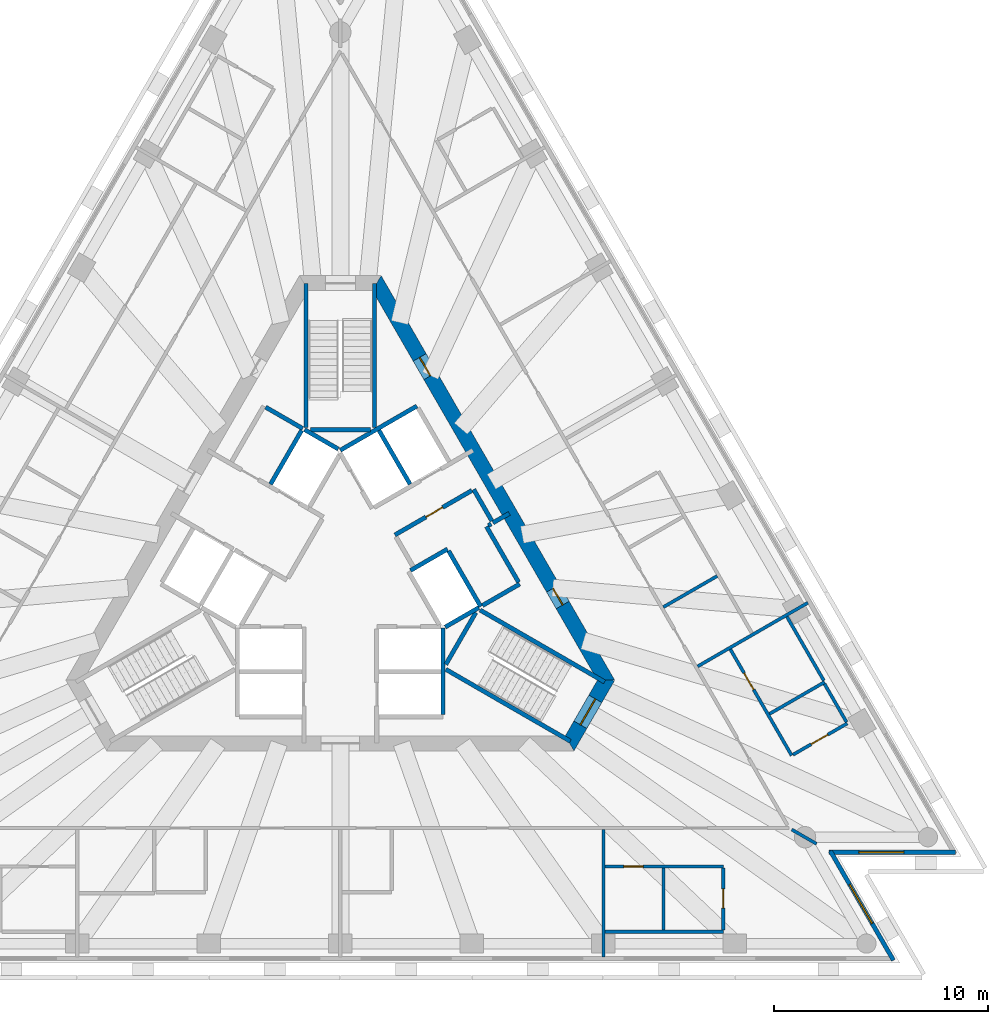
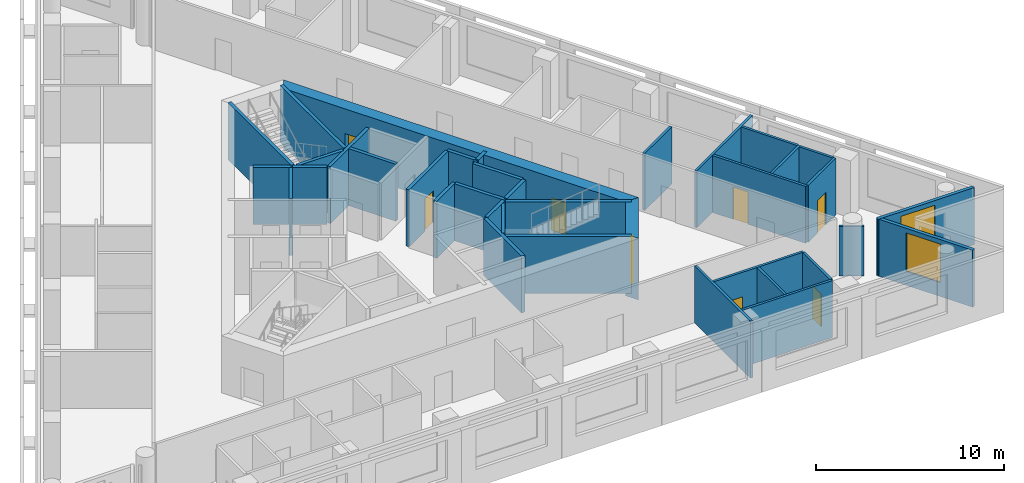
# One storey, part 5 of 9: 38 walls, 8 doors, 2 windows, 10 openings.
"""IFC4 building model written with IfcOpenShell, lengths in metres."""

import ifcopenshell
import ifcopenshell.guid

model = None  # the IFC model being written
_history = None  # IfcOwnerHistory: only IFC2X3 demands one
_inside = {}  # id of a spatial element -> (the spatial element, [elements in it])
_under = {}  # id of a project, library or spatial element -> (it, [spatial elements below it])
_declared = {}  # id of a project -> (the project, [libraries it declares])
_typed = {}  # id of a type object -> (the type object, [elements of that type])
_made_of = {}  # id of a material, layer set ... -> (it, [elements and type objects made of it])


def new_model(schema):
    """Start an empty IFC model of exactly this schema.

    Asked for "IFC4X3", IfcOpenShell would pick the latest addendum, in which some entities
    have other attributes; the version numbers below select the first issue.
    IFC2X3 requires an IfcOwnerHistory on every rooted entity: one is made here for all.
    """
    global model, _history
    if schema == "IFC4X3":
        model = ifcopenshell.file(schema_version=(4, 3, 0, 0))
    else:
        model = ifcopenshell.file(schema=schema)
    _inside.clear()
    _under.clear()
    _declared.clear()
    _typed.clear()
    _made_of.clear()
    _history = None
    if model.schema == "IFC2X3":
        org = make("IfcOrganization", Name="unknown")
        user = make(
            "IfcPersonAndOrganization",
            ThePerson=make("IfcPerson", FamilyName="unknown"),
            TheOrganization=org,
        )
        app = make(
            "IfcApplication",
            ApplicationDeveloper=org,
            Version="unknown",
            ApplicationFullName="unknown",
            ApplicationIdentifier="unknown",
        )
        _history = make(
            "IfcOwnerHistory",
            OwningUser=user,
            OwningApplication=app,
            ChangeAction="ADDED",
            CreationDate=0,
        )
    return model


def make(cls, **values):
    """One entity of the class cls with the attributes given. An attribute that is None is left unset."""
    return model.create_entity(
        cls, **{name: value for name, value in values.items() if value is not None}
    )


def rooted(cls, **values):
    """An entity with a GlobalId (a new one), such as an element, a storey or a relation."""
    return make(cls, GlobalId=ifcopenshell.guid.new(), OwnerHistory=_history, **values)


def si_unit(unit_type, name, prefix=None):
    """IfcSIUnit, for example si_unit("LENGTHUNIT", "METRE", prefix="MILLI")."""
    return make("IfcSIUnit", UnitType=unit_type, Prefix=prefix, Name=name)


def assignment(units):
    """IfcUnitAssignment: the units of a project."""
    return None if units is None else make("IfcUnitAssignment", Units=units)


def point(xyz):
    """IfcCartesianPoint."""
    return None if xyz is None else make("IfcCartesianPoint", Coordinates=xyz)


def direction(xyz):
    """IfcDirection."""
    return None if xyz is None else make("IfcDirection", DirectionRatios=xyz)


def frame(location, z_axis=None, x_axis=None):
    """IfcAxis2Placement3D, a coordinate frame: its origin and axes. An axis left out is left unset."""
    return make(
        "IfcAxis2Placement3D",
        Location=point(location),
        Axis=direction(z_axis),
        RefDirection=direction(x_axis),
    )


def frame_2d(location, x_axis=None):
    """IfcAxis2Placement2D, a coordinate frame in the plane: its origin and x axis."""
    return make(
        "IfcAxis2Placement2D", Location=point(location), RefDirection=direction(x_axis)
    )


def origin():
    """The frame at (0, 0, 0) with its axes left unset."""
    return frame((0.0, 0.0, 0.0))


def place(relative_to, where):
    """IfcLocalPlacement: puts the frame where relative to a parent placement (None: the world)."""
    return make(
        "IfcLocalPlacement", PlacementRelTo=relative_to, RelativePlacement=where
    )


def context(
    kind, dimensions, precision=None, world=None, true_north=None, identifier=None
):
    """IfcGeometricRepresentationContext, for example the 3D "Model" context."""
    return make(
        "IfcGeometricRepresentationContext",
        ContextIdentifier=identifier,
        ContextType=kind,
        CoordinateSpaceDimension=dimensions,
        Precision=precision,
        WorldCoordinateSystem=world,
        TrueNorth=true_north,
    )


def subcontext(parent, identifier, kind, view, scale=None):
    """IfcGeometricRepresentationSubContext, for example "Body" below "Model"."""
    return make(
        "IfcGeometricRepresentationSubContext",
        ContextIdentifier=identifier,
        ContextType=kind,
        ParentContext=parent,
        TargetScale=scale,
        TargetView=view,
    )


def project(units=None, contexts=None):
    """IfcProject with its units and contexts."""
    return rooted(
        "IfcProject",
        Name="project",
        RepresentationContexts=contexts,
        UnitsInContext=assignment(units),
    )


def spatial(cls, under=None, at=None, **own):
    """A site, building, storey or space (cls), placed at a placement, below another one or the project."""
    s = rooted(cls, ObjectPlacement=at, **own)
    if under is not None:
        _under.setdefault(under.id(), (under, []))[1].append(s)
    return s


def polyline(points):
    """IfcPolyline through the points."""
    return make("IfcPolyline", Points=[point(p) for p in points])


def profile(cls, at=None, kind="AREA", **sizes):
    """A parametric profile (cls). Its sizes go by their IFC names, for example OverallWidth=200.0."""
    return make(cls, ProfileType=kind, Position=at, **sizes)


def rectangle(**sizes):
    """IfcRectangleProfileDef."""
    return profile("IfcRectangleProfileDef", **sizes)


def outline(outer, holes=None, kind="AREA"):
    """IfcArbitraryClosedProfileDef: a profile drawn as a closed curve; with holes, ...WithVoids."""
    if holes is None:
        return make("IfcArbitraryClosedProfileDef", ProfileType=kind, OuterCurve=outer)
    return make(
        "IfcArbitraryProfileDefWithVoids",
        ProfileType=kind,
        OuterCurve=outer,
        InnerCurves=holes,
    )


def extrude(swept, where, along, depth):
    """IfcExtrudedAreaSolid: the profile swept, set in the frame where, extruded along a direction by depth."""
    return make(
        "IfcExtrudedAreaSolid",
        SweptArea=swept,
        Position=where,
        ExtrudedDirection=direction(along),
        Depth=depth,
    )


def shape(context_of_items, identifier, shape_type, items):
    """IfcShapeRepresentation: the items that make up one representation, for example the "Body"."""
    return make(
        "IfcShapeRepresentation",
        ContextOfItems=context_of_items,
        RepresentationIdentifier=identifier,
        RepresentationType=shape_type,
        Items=items,
    )


def material(Name=None, Category=None):
    """IfcMaterial."""
    return make("IfcMaterial", Name=Name, Category=Category)


def layer(
    of_material, thickness, ventilated=None, Name=None, Category=None, Priority=None
):
    """IfcMaterialLayer: one layer of a wall or slab, of a material (None: an air gap)."""
    return make(
        "IfcMaterialLayer",
        Material=of_material,
        LayerThickness=thickness,
        IsVentilated=ventilated,
        Name=Name,
        Category=Category,
        Priority=Priority,
    )


def layer_set(layers, Name=None):
    """IfcMaterialLayerSet."""
    return make("IfcMaterialLayerSet", MaterialLayers=layers, LayerSetName=Name)


def layer_usage(for_layer_set, set_direction, sense, offset, extent=None):
    """IfcMaterialLayerSetUsage: how a layer set lies in its element."""
    return make(
        "IfcMaterialLayerSetUsage",
        ForLayerSet=for_layer_set,
        LayerSetDirection=set_direction,
        DirectionSense=sense,
        OffsetFromReferenceLine=offset,
        ReferenceExtent=extent,
    )


def made_of(thing, what):
    """Note that an element or type object is made of a material, layer set ...; save() writes the relation."""
    if what is not None:
        _made_of.setdefault(what.id(), (what, []))[1].append(thing)
    return thing


def type_object(cls, material=None, **own):
    """A type object (cls), such as IfcWallType, which elements share."""
    return made_of(rooted(cls, **own), material)


def element(
    cls,
    number,
    at=None,
    inside=None,
    cuts=None,
    type_object=None,
    material=None,
    context=None,
    identifier="Body",
    shape_type=None,
    held_by="IfcProductDefinitionShape",
    body=None,
    shapes=None,
    **own,
):
    """One element of the class cls, such as IfcWall. Its Tag is "e" and its number.

    at: its placement. inside: the storey or other place that contains it. cuts: it is an
    opening in that element (IfcRelVoidsElement). A single representation is given by context,
    identifier, shape_type and body (its items); several are given by shapes. held_by: the class
    of the entity that holds the representations. save() writes the other relations.
    """
    e = rooted(cls, Tag="e%d" % number, ObjectPlacement=at, **own)
    if body is not None:
        shapes = [shape(context, identifier, shape_type, body)]
    if shapes is not None:
        e.Representation = make(held_by, Representations=shapes)
    if inside is not None:
        _inside.setdefault(inside.id(), (inside, []))[1].append(e)
    if cuts is not None:
        rooted(
            "IfcRelVoidsElement", RelatingBuildingElement=cuts, RelatedOpeningElement=e
        )
    if type_object is not None:
        _typed.setdefault(type_object.id(), (type_object, []))[1].append(e)
    return made_of(e, material)


def fill(opening, filler):
    """IfcRelFillsElement: the door or window that sits in an opening."""
    return rooted(
        "IfcRelFillsElement",
        RelatingOpeningElement=opening,
        RelatedBuildingElement=filler,
    )


def aggregate(whole, parts):
    """IfcRelAggregates: a whole, such as a stair, and the parts it consists of."""
    return rooted("IfcRelAggregates", RelatingObject=whole, RelatedObjects=parts)


def save(model, path):
    """Write the relations noted so far, then the file.

    IfcRelAggregates (storeys below a building ...), IfcRelContainedInSpatialStructure (elements
    in a storey), IfcRelDefinesByType, IfcRelAssociatesMaterial and IfcRelDeclares: one each for
    every whole, place, type object, material and project.
    """
    for whole, parts in _under.values():
        aggregate(whole, parts)
    for where, things in _inside.values():
        rooted(
            "IfcRelContainedInSpatialStructure",
            RelatedElements=things,
            RelatingStructure=where,
        )
    for kind, things in _typed.values():
        rooted("IfcRelDefinesByType", RelatedObjects=things, RelatingType=kind)
    for what, things in _made_of.values():
        rooted("IfcRelAssociatesMaterial", RelatedObjects=things, RelatingMaterial=what)
    for by, libraries in _declared.values():
        rooted("IfcRelDeclares", RelatingContext=by, RelatedDefinitions=libraries)
    model.write(path)


model = new_model("IFC4")

# Units and contexts
model_context = context("Model", 3, precision=1e-05, world=origin(), true_north=direction((0.0, 1.0)))
body_context = subcontext(model_context, "Body", "Model", "MODEL_VIEW")
ifc_project = project(units=[si_unit("LENGTHUNIT", "METRE"), si_unit("AREAUNIT", "SQUARE_METRE"), si_unit("VOLUMEUNIT", "CUBIC_METRE"), si_unit("PLANEANGLEUNIT", "RADIAN"), si_unit("MASSUNIT", "GRAM", prefix="KILO")], contexts=[model_context])

# Site, building, storey
site_placement = place(None, origin())
site = spatial("IfcSite", under=ifc_project, at=site_placement, CompositionType="ELEMENT")
building_placement = place(site_placement, origin())
building = spatial("IfcBuilding", under=site, at=building_placement, Name="Triada Interchange Tower", CompositionType="ELEMENT")
storey_placement = place(building_placement, frame((0.0, 0.0, 207.300048828125)))
storey = spatial("IfcBuildingStorey", under=building, at=storey_placement, Name="L48", CompositionType="ELEMENT", Elevation=207.300048828125)

# Walls
ifc_material_1 = material(Name="Concrete C30/37", Category="concrete")
ifc_layer_1 = layer(ifc_material_1, 0.199951171875)
ifc_layer_set_1 = layer_set([ifc_layer_1], Name="CORE WALL 200 EI 120")
wall_type_1 = type_object("IfcWallType", Name="CORE WALL 200 EI 120", PredefinedType="SOLIDWALL", material=ifc_layer_set_1)
wall_1_placement = place(storey_placement, frame((-0.001953125, 5.541015625, 0.0), z_axis=(0.0, 0.0, 1.0), x_axis=(0.86600155993, 0.500041296494, 0.0)))
element("IfcWall", 1, at=wall_1_placement, inside=storey, type_object=wall_type_1, Name="Wall L47 63", PredefinedType="SOLIDWALL", context=body_context, shape_type="SweptSolid", body=[
    extrude(rectangle(XDim=4.131591796875, YDim=0.199951171875, at=frame_2d((2.06591796875, 0.0))), origin(), (0.0, 0.0, 1.0), 3.699951171875),
])
wall_2_placement = place(storey_placement, frame((4.800048828125, -6.800048828125, 0.0), z_axis=(0.0, 0.0, 1.0), x_axis=(0.0, 1.0, 0.0)))
element("IfcWall", 2, at=wall_2_placement, inside=storey, type_object=wall_type_1, Name="Wall L47 68", PredefinedType="SOLIDWALL", context=body_context, shape_type="SweptSolid", body=[
    extrude(rectangle(XDim=4.029052734375, YDim=0.199951171875, at=frame_2d((2.0146484375, 0.0))), origin(), (0.0, 0.0, 1.0), 3.699951171875),
])
wall_3_placement = place(storey_placement, frame((3.278076171875, -0.071044921875, 0.0), z_axis=(0.0, 0.0, 1.0), x_axis=(0.865855657918, 0.500293893279, 0.0)))
element("IfcWall", 3, at=wall_3_placement, inside=storey, type_object=wall_type_1, Name="Wall L47 69", PredefinedType="SOLIDWALL", context=body_context, shape_type="SweptSolid", body=[
    extrude(rectangle(XDim=1.996826171875, YDim=0.199951171875, at=frame_2d((0.99853515625, 0.0))), origin(), (0.0, 0.0, 1.0), 3.699951171875),
])
wall_4_placement = place(storey_placement, frame((7.12890625, 2.153076171875, 0.0), z_axis=(0.0, 0.0, 1.0), x_axis=(0.866083962871, 0.499898558967, 0.0)))
element("IfcWall", 4, at=wall_4_placement, inside=storey, type_object=wall_type_1, Name="Wall L47 70", PredefinedType="SOLIDWALL", context=body_context, shape_type="SweptSolid", body=[
    extrude(rectangle(XDim=0.880126953125, YDim=0.199951171875, at=frame_2d((0.43994140625, 0.0))), origin(), (0.0, 0.0, 1.0), 3.699951171875),
])
wall_5_placement = place(storey_placement, frame((1.806884765625, 6.469970703125, 0.0), z_axis=(0.0, 0.0, 1.0), x_axis=(0.50012328804, -0.865954211699, 0.0)))
element("IfcWall", 5, at=wall_5_placement, inside=storey, type_object=wall_type_1, Name="Wall L47 72", PredefinedType="SOLIDWALL", context=body_context, shape_type="SweptSolid", body=[
    extrude(rectangle(XDim=2.899658203125, YDim=0.199951171875, at=frame_2d((1.44970703125, 0.0))), origin(), (0.0, 0.0, 1.0), 3.699951171875),
])
wall_6_placement = place(storey_placement, frame((5.056884765625, 0.841064453125, 0.0), z_axis=(0.0, 0.0, 1.0), x_axis=(0.499990139034, -0.866031096941, 0.0)))
element("IfcWall", 6, at=wall_6_placement, inside=storey, type_object=wall_type_1, Name="Wall L47 73", PredefinedType="SOLIDWALL", context=body_context, shape_type="SweptSolid", body=[
    extrude(rectangle(XDim=3.0, YDim=0.199951171875, at=frame_2d((1.5, 0.0))), origin(), (0.0, 0.0, 1.0), 3.699951171875),
])
wall_7_placement = place(storey_placement, frame((4.89990234375, -2.714111328125, 0.0), z_axis=(0.0, 0.0, 1.0), x_axis=(0.865846928409, 0.500309001083, 0.0)))
element("IfcWall", 7, at=wall_7_placement, inside=storey, type_object=wall_type_1, Name="Wall L47 74", PredefinedType="SOLIDWALL", context=body_context, shape_type="SweptSolid", body=[
    extrude(rectangle(XDim=1.813232421875, YDim=0.199951171875, at=frame_2d((0.90673828125, 0.0))), origin(), (0.0, 0.0, 1.0), 3.699951171875),
])
wall_8_placement = place(storey_placement, frame((6.22900390625, 3.7119140625, 0.0), z_axis=(0.0, 0.0, 1.0), x_axis=(0.499875724984, -0.86609714211, 0.0)))
element("IfcWall", 8, at=wall_8_placement, inside=storey, type_object=wall_type_1, Name="Wall L47 75", PredefinedType="SOLIDWALL", context=body_context, shape_type="SweptSolid", body=[
    extrude(rectangle(XDim=1.70068359375, YDim=0.199951171875, at=frame_2d((0.850341796875, 0.0))), origin(), (0.0, 0.0, 1.0), 3.699951171875),
])

# Wall, opening, door
wall_9_placement = place(storey_placement, frame((2.548095703125, 1.5869140625, 0.0), z_axis=(0.0, 0.0, 1.0), x_axis=(0.866004344652, 0.500036473714, 0.0)))
wall_9 = element("IfcWall", 9, at=wall_9_placement, inside=storey, type_object=wall_type_1, Name="Wall L47 76", PredefinedType="SOLIDWALL", context=body_context, shape_type="SweptSolid", body=[
    extrude(rectangle(XDim=4.150146484375, YDim=0.199951171875, at=frame_2d((2.0751953125, 0.0))), origin(), (0.0, 0.0, 1.0), 3.699951171875),
])
opening_1_placement = place(wall_9_placement, frame((1.675048828125, 0.0, 0.0)))
opening_1 = element("IfcOpeningElement", 10, at=opening_1_placement, cuts=wall_9, Name="Opening D47-51", PredefinedType="OPENING", context=body_context, shape_type="SweptSolid", body=[
    extrude(rectangle(XDim=0.89990234375, YDim=2.10009765625, at=frame_2d((0.449951171875, 1.050048828125))), frame((0.0, 0.10986328125, 0.0), z_axis=(0.0, -1.0, 0.0), x_axis=(1.0, 0.0, 0.0)), (0.0, 0.0, 1.0), 0.219970703125),
])
ifc_material_2 = material(Name="Steel S235 door leaf", Category="steel")
door_type_1 = type_object("IfcDoorType", Name="SERVICE DOOR 900 EI2 45-C5S200", OperationType="NOTDEFINED", PredefinedType="DOOR", material=ifc_material_2)
door_1_placement = place(opening_1_placement, origin())
door_1 = element("IfcDoor", 11, at=door_1_placement, inside=storey, type_object=door_type_1, Name="Door D47-51 L48", OperationType="SINGLE_SWING_RIGHT", OverallHeight=2.10009765625, OverallWidth=0.89990234375, PredefinedType="DOOR", context=body_context, shape_type="SweptSolid", body=[
    extrude(rectangle(XDim=0.89990234375, YDim=2.10009765625, at=frame_2d((0.449951171875, 1.050048828125))), frame((0.0, 0.02490234375, 0.0), z_axis=(0.0, -1.0, 0.0), x_axis=(1.0, 0.0, 0.0)), (0.0, 0.0, 1.0), 0.050048828125),
])
fill(opening_1, door_1)

# Walls
ifc_layer_2 = layer(ifc_material_1, 0.199951171875)
ifc_layer_set_2 = layer_set([ifc_layer_2], Name="CORE WALL 200 EI 180")
wall_type_2 = type_object("IfcWallType", Name="CORE WALL 200 EI 180", PredefinedType="SOLIDWALL", material=ifc_layer_set_2)
wall_10_placement = place(storey_placement, frame((-3.489013671875, 7.556884765625, 0.0), z_axis=(0.0, 0.0, 1.0), x_axis=(0.866010750942, -0.50002537861, 0.0)))
element("IfcWall", 12, at=wall_10_placement, inside=storey, type_object=wall_type_2, Name="Wall L47 83", PredefinedType="SOLIDWALL", context=body_context, shape_type="SweptSolid", body=[
    extrude(rectangle(XDim=2.0, YDim=0.199951171875, at=frame_2d((1.0, 0.0))), origin(), (0.0, 0.0, 1.0), 3.699951171875),
])
wall_11_placement = place(storey_placement, frame((-3.257080078125, 3.958984375, 0.0), z_axis=(0.0, 0.0, 1.0), x_axis=(0.50012328804, 0.865954211699, 0.0)))
element("IfcWall", 13, at=wall_11_placement, inside=storey, type_object=wall_type_2, Name="Shaft wall FF2 L47 90", PredefinedType="SOLIDWALL", context=body_context, shape_type="SweptSolid", body=[
    extrude(rectangle(XDim=2.899658203125, YDim=0.199951171875, at=frame_2d((1.44970703125, 0.0))), origin(), (0.0, 0.0, 1.0), 3.699951171875),
])
wall_12_placement = place(storey_placement, frame((-1.669921875, 6.507080078125, 0.0), z_axis=(0.0, 0.0, 1.0), x_axis=(0.865941441609, -0.500145398563, 0.0)))
element("IfcWall", 14, at=wall_12_placement, inside=storey, type_object=wall_type_2, Name="Shaft wall FF2 L47 91", PredefinedType="SOLIDWALL", context=body_context, shape_type="SweptSolid", body=[
    extrude(rectangle(XDim=1.8154296875, YDim=0.199951171875, at=frame_2d((0.90771484375, 0.0))), origin(), (0.0, 0.0, 1.0), 3.699951171875),
])
ifc_layer_3 = layer(ifc_material_1, 0.199951171875)
ifc_layer_set_3 = layer_set([ifc_layer_3], Name="CORE WALL 200 EI 90")
wall_type_3 = type_object("IfcWallType", Name="CORE WALL 200 EI 90", PredefinedType="SOLIDWALL", material=ifc_layer_set_3)
wall_13_placement = place(storey_placement, frame((6.64208984375, -1.7080078125, 0.0), z_axis=(0.0, 0.0, 1.0), x_axis=(0.866043441391, 0.499968756647, 0.0)))
element("IfcWall", 15, at=wall_13_placement, inside=storey, type_object=wall_type_3, Name="Wall L47 93", PredefinedType="SOLIDWALL", context=body_context, shape_type="SweptSolid", body=[
    extrude(rectangle(XDim=2.002197265625, YDim=0.199951171875, at=frame_2d((1.0009765625, 0.0))), origin(), (0.0, 0.0, 1.0), 3.699951171875),
])
wall_14_placement = place(storey_placement, frame((6.825927734375, 1.97802734375, 0.0), z_axis=(0.0, 0.0, 1.0), x_axis=(0.499990139034, -0.866031096941, 0.0)))
element("IfcWall", 16, at=wall_14_placement, inside=storey, type_object=wall_type_3, Name="Wall L47 94", PredefinedType="SOLIDWALL", context=body_context, shape_type="SweptSolid", body=[
    extrude(rectangle(XDim=3.0, YDim=0.199951171875, at=frame_2d((1.5, 0.0))), origin(), (0.0, 0.0, 1.0), 3.699951171875),
])
wall_15_placement = place(storey_placement, frame((6.912109375, 2.028076171875, 0.0), z_axis=(0.0, 0.0, 1.0), x_axis=(0.866559367082, 0.499074005857, 0.0)))
element("IfcWall", 17, at=wall_15_placement, inside=storey, type_object=wall_type_3, Name="Wall L47 95", PredefinedType="SOLIDWALL", context=body_context, shape_type="SweptSolid", body=[
    extrude(rectangle(XDim=0.152099609375, YDim=0.199951171875, at=frame_2d((0.076171875, 0.0))), origin(), (0.0, 0.0, 1.0), 3.699951171875),
])
ifc_layer_4 = layer(ifc_material_1, 0.199951171875)
ifc_layer_set_4 = layer_set([ifc_layer_4], Name="CORE WALL 200 REI 240")
wall_type_4 = type_object("IfcWallType", Name="CORE WALL 200 REI 240", PredefinedType="SOLIDWALL", material=ifc_layer_set_4)
wall_16_placement = place(storey_placement, frame((1.60009765625, 6.614990234375, 0.0), z_axis=(0.0, 0.0, 1.0), x_axis=(0.0, 1.0, 0.0)))
element("IfcWall", 18, at=wall_16_placement, inside=storey, type_object=wall_type_4, Name="Wall L47 99", PredefinedType="SOLIDWALL", context=body_context, shape_type="SweptSolid", body=[
    extrude(rectangle(XDim=6.715087890625, YDim=0.199951171875, at=frame_2d((3.357421875, 0.0))), origin(), (0.0, 0.0, 1.0), 3.699951171875),
])
wall_17_placement = place(storey_placement, frame((-1.39990234375, 6.5, 0.0), z_axis=(0.0, 0.0, 1.0), x_axis=(1.0, 0.0, 0.0)))
element("IfcWall", 19, at=wall_17_placement, inside=storey, type_object=wall_type_4, Name="Wall L47 100", PredefinedType="SOLIDWALL", context=body_context, shape_type="SweptSolid", body=[
    extrude(rectangle(XDim=2.7998046875, YDim=0.199951171875, at=frame_2d((1.39990234375, 0.0))), origin(), (0.0, 0.0, 1.0), 3.699951171875),
])
wall_18_placement = place(storey_placement, frame((-1.60009765625, 6.614990234375, 0.0), z_axis=(0.0, 0.0, 1.0), x_axis=(0.0, 1.0, 0.0)))
element("IfcWall", 20, at=wall_18_placement, inside=storey, type_object=wall_type_4, Name="Wall L47 101", PredefinedType="SOLIDWALL", context=body_context, shape_type="SweptSolid", body=[
    extrude(rectangle(XDim=6.715087890625, YDim=0.199951171875, at=frame_2d((3.357421875, 0.0))), origin(), (0.0, 0.0, 1.0), 3.699951171875),
])
wall_19_placement = place(storey_placement, frame((4.928955078125, -4.693115234375, 0.0), z_axis=(0.0, 0.0, 1.0), x_axis=(0.865983344943, -0.500072840975, 0.0)))
element("IfcWall", 21, at=wall_19_placement, inside=storey, type_object=wall_type_4, Name="Wall L47 102", PredefinedType="SOLIDWALL", context=body_context, shape_type="SweptSolid", body=[
    extrude(rectangle(XDim=6.71484375, YDim=0.199951171875, at=frame_2d((3.357421875, 0.0))), origin(), (0.0, 0.0, 1.0), 3.699951171875),
])
wall_20_placement = place(storey_placement, frame((4.928955078125, -4.4619140625, 0.0), z_axis=(0.0, 0.0, 1.0), x_axis=(0.500200581029, 0.865909567298, 0.0)))
element("IfcWall", 22, at=wall_20_placement, inside=storey, type_object=wall_type_4, Name="Wall L47 103", PredefinedType="SOLIDWALL", context=body_context, shape_type="SweptSolid", body=[
    extrude(rectangle(XDim=2.799072265625, YDim=0.199951171875, at=frame_2d((1.3994140625, 0.0))), origin(), (0.0, 0.0, 1.0), 3.699951171875),
])
wall_21_placement = place(storey_placement, frame((6.529052734375, -1.922119140625, 0.0), z_axis=(0.0, 0.0, 1.0), x_axis=(0.866046323291, -0.499963764601, 0.0)))
element("IfcWall", 23, at=wall_21_placement, inside=storey, type_object=wall_type_4, Name="Wall L47 104", PredefinedType="SOLIDWALL", context=body_context, shape_type="SweptSolid", body=[
    extrude(rectangle(XDim=6.71435546875, YDim=0.199951171875, at=frame_2d((3.357177734375, 0.0))), origin(), (0.0, 0.0, 1.0), 3.699951171875),
])

# Wall, opening, door
ifc_material_3 = material(Name="Concrete C50/60", Category="concrete")
ifc_layer_5 = layer(ifc_material_3, 0.699951171875)
ifc_layer_set_5 = layer_set([ifc_layer_5], Name="Core wall C 700")
wall_type_5 = type_object("IfcWallType", Name="Core wall C 700", PredefinedType="SHEAR", material=ifc_layer_set_5)
wall_22_placement = place(storey_placement, frame((10.7099609375, -8.14990234375, -0.300048828125), z_axis=(0.0, 0.0, 1.0), x_axis=(0.49999337185, 0.866029230515, 0.0)))
wall_22 = element("IfcWall", 24, at=wall_22_placement, inside=storey, type_object=wall_type_5, Name="Core wall WC05 L48", PredefinedType="SHEAR", context=body_context, shape_type="SweptSolid", body=[
    extrude(outline(polyline([(-0.201904296875, -0.35009765625), (1.703125, -0.35009765625), (3.60791015625, -0.35009765625), (3.2041015625, 0.35009765625), (1.703125, 0.35009765625), (0.201904296875, 0.35009765625), (-0.201904296875, -0.35009765625)])), origin(), (0.0, 0.0, 1.0), 4.0),
])
opening_2_placement = place(wall_22_placement, frame((1.0029296875, 0.0, 0.300048828125)))
opening_2 = element("IfcOpeningElement", 25, at=opening_2_placement, cuts=wall_22, Name="Opening D47-46", PredefinedType="OPENING", context=body_context, shape_type="SweptSolid", body=[
    extrude(rectangle(XDim=1.39990234375, YDim=2.10009765625, at=frame_2d((0.699951171875, 1.050048828125))), frame((0.0, 0.360107421875, 0.0), z_axis=(0.0, -1.0, 0.0), x_axis=(1.0, 0.0, 0.0)), (0.0, 0.0, 1.0), 0.72021484375),
])
door_type_2 = type_object("IfcDoorType", Name="STAIR DOOR 1400 EI2 90-C5S200", OperationType="DOUBLE_DOOR_SINGLE_SWING", PredefinedType="DOOR", material=ifc_material_2)
door_2_placement = place(opening_2_placement, origin())
door_2 = element("IfcDoor", 26, at=door_2_placement, inside=storey, type_object=door_type_2, Name="Door D47-46 L48", OperationType="DOUBLE_DOOR_SINGLE_SWING", OverallHeight=2.10009765625, OverallWidth=1.39990234375, PredefinedType="DOOR", context=body_context, shape_type="SweptSolid", body=[
    extrude(rectangle(XDim=1.39990234375, YDim=2.10009765625, at=frame_2d((0.699951171875, 1.050048828125))), frame((0.0, 0.02490234375, 0.0), z_axis=(0.0, -1.0, 0.0), x_axis=(1.0, 0.0, 0.0)), (0.0, 0.0, 1.0), 0.050048828125),
])
fill(opening_2, door_2)

# Wall, openings, doors
wall_23_placement = place(storey_placement, frame((12.4130859375, -5.199951171875, -0.300048828125), z_axis=(0.0, 0.0, 1.0), x_axis=(-0.500011533395, 0.866018744874, 0.0)))
wall_23 = element("IfcWall", 27, at=wall_23_placement, inside=storey, type_object=wall_type_5, Name="Core wall WC06 L48", PredefinedType="SHEAR", context=body_context, shape_type="SweptSolid", body=[
    extrude(outline(polyline([(-0.201904296875, -0.35009765625), (1.781982421875, -0.35009765625), (3.76611328125, -0.35009765625), (5.75, -0.35009765625), (7.734130859375, -0.35009765625), (9.718017578125, -0.35009765625), (11.7021484375, -0.35009765625), (13.68603515625, -0.35009765625), (15.670166015625, -0.35009765625), (17.654052734375, -0.35009765625), (19.63818359375, -0.35009765625), (21.6220703125, -0.35009765625), (21.218017578125, 0.35009765625), (19.307373046875, 0.35009765625), (17.39697265625, 0.35009765625), (15.486328125, 0.35009765625), (13.57568359375, 0.35009765625), (11.665283203125, 0.35009765625), (9.754638671875, 0.35009765625), (7.84423828125, 0.35009765625), (5.93359375, 0.35009765625), (4.02294921875, 0.35009765625), (2.112548828125, 0.35009765625), (0.201904296875, 0.35009765625), (-0.201904296875, -0.35009765625)])), origin(), (0.0, 0.0, 1.0), 4.0),
])
opening_3_placement = place(wall_23_placement, frame((4.054931640625, 0.0, 0.300048828125)))
opening_3 = element("IfcOpeningElement", 28, at=opening_3_placement, cuts=wall_23, Name="Opening D47-48", PredefinedType="OPENING", context=body_context, shape_type="SweptSolid", body=[
    extrude(rectangle(XDim=0.89990234375, YDim=2.10009765625, at=frame_2d((0.449951171875, 1.050048828125))), frame((0.0, 0.360107421875, 0.0), z_axis=(0.0, -1.0, 0.0), x_axis=(1.0, 0.0, 0.0)), (0.0, 0.0, 1.0), 0.72021484375),
])
opening_4_placement = place(wall_23_placement, frame((16.4150390625, 0.0, 0.300048828125)))
opening_4 = element("IfcOpeningElement", 29, at=opening_4_placement, cuts=wall_23, Name="Opening D47-50", PredefinedType="OPENING", context=body_context, shape_type="SweptSolid", body=[
    extrude(rectangle(XDim=1.0, YDim=2.10009765625, at=frame_2d((0.5, 1.050048828125))), frame((0.0, 0.360107421875, 0.0), z_axis=(0.0, -1.0, 0.0), x_axis=(1.0, 0.0, 0.0)), (0.0, 0.0, 1.0), 0.72021484375),
])
door_type_3 = type_object("IfcDoorType", Name="RISER ACCESS DOOR 900 EI2 45-C5S200", OperationType="NOTDEFINED", PredefinedType="DOOR", material=ifc_material_2)
door_3_placement = place(opening_3_placement, origin())
door_3 = element("IfcDoor", 30, at=door_3_placement, inside=storey, type_object=door_type_3, Name="Door D47-48 L48", OperationType="SINGLE_SWING_RIGHT", OverallHeight=2.10009765625, OverallWidth=0.89990234375, PredefinedType="DOOR", context=body_context, shape_type="SweptSolid", body=[
    extrude(rectangle(XDim=0.89990234375, YDim=2.10009765625, at=frame_2d((0.449951171875, 1.050048828125))), frame((0.0, 0.02490234375, 0.0), z_axis=(0.0, -1.0, 0.0), x_axis=(1.0, 0.0, 0.0)), (0.0, 0.0, 1.0), 0.050048828125),
])
fill(opening_3, door_3)
door_type_4 = type_object("IfcDoorType", Name="SERVICE DOOR 1000 EI2 45-C5S200", OperationType="NOTDEFINED", PredefinedType="DOOR", material=ifc_material_2)
door_4_placement = place(opening_4_placement, origin())
door_4 = element("IfcDoor", 31, at=door_4_placement, inside=storey, type_object=door_type_4, Name="Door D47-50 L48", OperationType="SINGLE_SWING_RIGHT", OverallHeight=2.10009765625, OverallWidth=1.0, PredefinedType="DOOR", context=body_context, shape_type="SweptSolid", body=[
    extrude(rectangle(XDim=1.0, YDim=2.10009765625, at=frame_2d((0.5, 1.050048828125))), frame((0.0, 0.02490234375, 0.0), z_axis=(0.0, -1.0, 0.0), x_axis=(1.0, 0.0, 0.0)), (0.0, 0.0, 1.0), 0.050048828125),
])
fill(opening_4, door_4)

# Wall, opening, window
ifc_material_4 = material(Name="Cement board")
ifc_layer_6 = layer(ifc_material_4, 0.02001953125, Name="Cement board cladding")
ifc_material_5 = material(Name="Sheathing board")
ifc_layer_7 = layer(ifc_material_5, 0.014892578125, Name="Sheathing board")
ifc_material_6 = material(Name="Mineral wool")
ifc_layer_8 = layer(ifc_material_6, 0.14990234375, Name="Mineral wool between steel studs")
ifc_material_7 = material(Name="Gypsum board")
ifc_layer_9 = layer(ifc_material_7, 0.014892578125, Name="Plasterboard lining")
ifc_layer_set_6 = layer_set([ifc_layer_6, ifc_layer_7, ifc_layer_8, ifc_layer_9], Name="External wall 200")
ifc_layer_usage = layer_usage(ifc_layer_set_6, "AXIS2", "POSITIVE", -0.10009765625)
wall_type_6 = type_object("IfcWallType", Name="External wall 200", PredefinedType="ELEMENTEDWALL", material=ifc_layer_set_6)
wall_24_placement = place(storey_placement, frame((25.8349609375, -18.280029296875, 0.0), z_axis=(0.0, 0.0, 1.0), x_axis=(-0.499989993172, 0.866031181152, 0.0)))
wall_24 = element("IfcWall", 32, at=wall_24_placement, inside=storey, type_object=wall_type_6, material=ifc_layer_usage, Name="External wall L48 SE-1", PredefinedType="ELEMENTEDWALL", context=body_context, shape_type="SweptSolid", body=[
    extrude(rectangle(XDim=5.89794921875, YDim=0.199951171875, at=frame_2d((2.948974609375, 0.0))), origin(), (0.0, 0.0, 1.0), 3.699951171875),
])
opening_5_placement = place(wall_24_placement, frame((1.989990234375, 0.0, 0.89990234375)))
opening_5 = element("IfcOpeningElement", 33, at=opening_5_placement, cuts=wall_24, Name="Opening WC19", PredefinedType="OPENING", context=body_context, shape_type="SweptSolid", body=[
    extrude(rectangle(XDim=2.10009765625, YDim=2.5, at=frame_2d((1.050048828125, 1.25))), frame((0.0, 0.10986328125, 0.0), z_axis=(0.0, -1.0, 0.0), x_axis=(1.0, 0.0, 0.0)), (0.0, 0.0, 1.0), 0.219970703125),
])
ifc_material_8 = material(Name="Double glazed aluminium window", Category="aluminium")
window_type = type_object("IfcWindowType", Name="Ribbon window C pocket", PartitioningType="SINGLE_PANEL", PredefinedType="WINDOW", material=ifc_material_8)
window_1_placement = place(opening_5_placement, origin())
window_1 = element("IfcWindow", 34, at=window_1_placement, inside=storey, type_object=window_type, Name="Window L48 SE-1 1", OverallHeight=2.5, OverallWidth=2.10009765625, PartitioningType="SINGLE_PANEL", PredefinedType="WINDOW", context=body_context, shape_type="SweptSolid", body=[
    extrude(rectangle(XDim=2.10009765625, YDim=2.5, at=frame_2d((1.050048828125, 1.25))), frame((0.0, 0.030029296875, 0.0), z_axis=(0.0, -1.0, 0.0), x_axis=(1.0, 0.0, 0.0)), (0.0, 0.0, 1.0), 0.06005859375),
])
fill(opening_5, window_1)

wall_25_placement = place(storey_placement, frame((22.8310546875, -13.23291015625, 0.0), z_axis=(0.0, 0.0, 1.0), x_axis=(1.0, 0.0, 0.0)))
wall_25 = element("IfcWall", 35, at=wall_25_placement, inside=storey, type_object=wall_type_6, material=ifc_layer_usage, Name="External wall L48 SE-2", PredefinedType="ELEMENTEDWALL", context=body_context, shape_type="SweptSolid", body=[
    extrude(rectangle(XDim=5.89794921875, YDim=0.199951171875, at=frame_2d((2.948974609375, 0.0))), origin(), (0.0, 0.0, 1.0), 3.699951171875),
])
opening_6_placement = place(wall_25_placement, frame((1.389892578125, 0.0, 0.89990234375)))
opening_6 = element("IfcOpeningElement", 36, at=opening_6_placement, cuts=wall_25, Name="Opening WC20", PredefinedType="OPENING", context=body_context, shape_type="SweptSolid", body=[
    extrude(rectangle(XDim=2.10009765625, YDim=2.5, at=frame_2d((1.050048828125, 1.25))), frame((0.0, 0.10986328125, 0.0), z_axis=(0.0, -1.0, 0.0), x_axis=(1.0, 0.0, 0.0)), (0.0, 0.0, 1.0), 0.219970703125),
])
window_2_placement = place(opening_6_placement, origin())
window_2 = element("IfcWindow", 37, at=window_2_placement, inside=storey, type_object=window_type, Name="Window L48 SE-2 1", OverallHeight=2.5, OverallWidth=2.10009765625, PartitioningType="SINGLE_PANEL", PredefinedType="WINDOW", context=body_context, shape_type="SweptSolid", body=[
    extrude(rectangle(XDim=2.10009765625, YDim=2.5, at=frame_2d((1.050048828125, 1.25))), frame((0.0, 0.030029296875, 0.0), z_axis=(0.0, -1.0, 0.0), x_axis=(1.0, 0.0, 0.0)), (0.0, 0.0, 1.0), 0.06005859375),
])
fill(opening_6, window_2)

# Walls
ifc_material_9 = material(Name="Gypsum board partition")
ifc_layer_10 = layer(ifc_material_9, 0.14990234375)
ifc_layer_set_7 = layer_set([ifc_layer_10], Name="PARTITION 150 EI 180")
wall_type_7 = type_object("IfcWallType", Name="PARTITION 150 EI 180", PredefinedType="PARTITIONING", material=ifc_layer_set_7)
wall_26_placement = place(storey_placement, frame((21.0869140625, -12.175048828125, 0.0), z_axis=(0.0, 0.0, 1.0), x_axis=(0.8662585361, -0.499595985407, 0.0)))
element("IfcWall", 38, at=wall_26_placement, inside=storey, type_object=wall_type_7, Name="Wall L47 10", PredefinedType="PARTITIONING", context=body_context, shape_type="SweptSolid", body=[
    extrude(rectangle(XDim=1.3369140625, YDim=0.14990234375, at=frame_2d((0.66845703125, 0.0))), origin(), (0.0, 0.0, 1.0), 3.199951171875),
])
wall_27_placement = place(storey_placement, frame((12.2890625, -18.1220703125, 0.0), z_axis=(0.0, 0.0, 1.0), x_axis=(0.0, 1.0, 0.0)))
element("IfcWall", 39, at=wall_27_placement, inside=storey, type_object=wall_type_7, Name="Wall L47 27", PredefinedType="PARTITIONING", context=body_context, shape_type="SweptSolid", body=[
    extrude(rectangle(XDim=5.947021484375, YDim=0.14990234375, at=frame_2d((2.9736328125, 0.0))), origin(), (0.0, 0.0, 1.0), 3.699951171875),
])
wall_28_placement = place(storey_placement, frame((15.087890625, -1.783935546875, 0.0), z_axis=(0.0, 0.0, 1.0), x_axis=(0.866034280428, 0.499984624887, 0.0)))
element("IfcWall", 40, at=wall_28_placement, inside=storey, type_object=wall_type_7, Name="Wall L47 29", PredefinedType="PARTITIONING", context=body_context, shape_type="SweptSolid", body=[
    extrude(rectangle(XDim=2.90185546875, YDim=0.14990234375, at=frame_2d((1.450927734375, 0.0))), origin(), (0.0, 0.0, 1.0), 3.699951171875),
])
wall_29_placement = place(storey_placement, frame((16.68798828125, -4.554931640625, 0.0), z_axis=(0.0, 0.0, 1.0), x_axis=(0.866034527326, 0.49998419723, 0.0)))
element("IfcWall", 41, at=wall_29_placement, inside=storey, type_object=wall_type_7, Name="Wall L47 30", PredefinedType="PARTITIONING", context=body_context, shape_type="SweptSolid", body=[
    extrude(rectangle(XDim=5.947998046875, YDim=0.14990234375, at=frame_2d((2.97412109375, 0.0))), origin(), (0.0, 0.0, 1.0), 3.699951171875),
])

# Wall, opening, door
ifc_layer_11 = layer(ifc_material_9, 0.14990234375)
ifc_layer_set_8 = layer_set([ifc_layer_11], Name="PARTITION 150 EI 90")
wall_type_8 = type_object("IfcWallType", Name="PARTITION 150 EI 90", PredefinedType="PARTITIONING", material=ifc_layer_set_8)
wall_30_placement = place(storey_placement, frame((12.364013671875, -13.89990234375, 0.0), z_axis=(0.0, 0.0, 1.0), x_axis=(1.0, 0.0, 0.0)))
wall_30 = element("IfcWall", 42, at=wall_30_placement, inside=storey, type_object=wall_type_8, Name="Wall L47 33", PredefinedType="PARTITIONING", context=body_context, shape_type="SweptSolid", body=[
    extrude(rectangle(XDim=5.52490234375, YDim=0.14990234375, at=frame_2d((2.762451171875, 0.0))), origin(), (0.0, 0.0, 1.0), 3.699951171875),
])
opening_7_placement = place(wall_30_placement, frame((0.875, 0.0, 0.0)))
opening_7 = element("IfcOpeningElement", 43, at=opening_7_placement, cuts=wall_30, Name="Opening D47-20", PredefinedType="OPENING", context=body_context, shape_type="SweptSolid", body=[
    extrude(rectangle(XDim=0.89990234375, YDim=2.10009765625, at=frame_2d((0.449951171875, 1.050048828125))), frame((0.0, 0.0849609375, 0.0), z_axis=(0.0, -1.0, 0.0), x_axis=(1.0, 0.0, 0.0)), (0.0, 0.0, 1.0), 0.169921875),
])
door_type_5 = type_object("IfcDoorType", Name="ROOM DOOR 900 EI2 45-C5S200", OperationType="NOTDEFINED", PredefinedType="DOOR", material=ifc_material_2)
door_5_placement = place(opening_7_placement, origin())
door_5 = element("IfcDoor", 44, at=door_5_placement, inside=storey, type_object=door_type_5, Name="Door D47-20 L48", OperationType="SINGLE_SWING_RIGHT", OverallHeight=2.10009765625, OverallWidth=0.89990234375, PredefinedType="DOOR", context=body_context, shape_type="SweptSolid", body=[
    extrude(rectangle(XDim=0.89990234375, YDim=2.10009765625, at=frame_2d((0.449951171875, 1.050048828125))), frame((0.0, 0.02490234375, 0.0), z_axis=(0.0, -1.0, 0.0), x_axis=(1.0, 0.0, 0.0)), (0.0, 0.0, 1.0), 0.050048828125),
])
fill(opening_7, door_5)

# Wall
wall_31_placement = place(storey_placement, frame((12.364013671875, -16.950927734375, 0.0), z_axis=(0.0, 0.0, 1.0), x_axis=(1.0, 0.0, 0.0)))
element("IfcWall", 45, at=wall_31_placement, inside=storey, type_object=wall_type_8, Name="Wall L47 37", PredefinedType="PARTITIONING", context=body_context, shape_type="SweptSolid", body=[
    extrude(rectangle(XDim=5.52490234375, YDim=0.14990234375, at=frame_2d((2.762451171875, 0.0))), origin(), (0.0, 0.0, 1.0), 3.699951171875),
])

# Wall, opening, door
wall_32_placement = place(storey_placement, frame((17.888916015625, -16.8759765625, 0.0), z_axis=(0.0, 0.0, 1.0), x_axis=(0.0, 1.0, 0.0)))
wall_32 = element("IfcWall", 46, at=wall_32_placement, inside=storey, type_object=wall_type_8, Name="Wall L47 43", PredefinedType="PARTITIONING", context=body_context, shape_type="SweptSolid", body=[
    extrude(rectangle(XDim=2.90087890625, YDim=0.14990234375, at=frame_2d((1.450439453125, 0.0))), origin(), (0.0, 0.0, 1.0), 3.699951171875),
])
opening_8_placement = place(wall_32_placement, frame((1.02587890625, 0.0, 0.0)))
opening_8 = element("IfcOpeningElement", 47, at=opening_8_placement, cuts=wall_32, Name="Opening D47-21", PredefinedType="OPENING", context=body_context, shape_type="SweptSolid", body=[
    extrude(rectangle(XDim=0.89990234375, YDim=2.10009765625, at=frame_2d((0.449951171875, 1.050048828125))), frame((0.0, 0.0849609375, 0.0), z_axis=(0.0, -1.0, 0.0), x_axis=(1.0, 0.0, 0.0)), (0.0, 0.0, 1.0), 0.169921875),
])
door_6_placement = place(opening_8_placement, origin())
door_6 = element("IfcDoor", 48, at=door_6_placement, inside=storey, type_object=door_type_5, Name="Door D47-21 L48", OperationType="SINGLE_SWING_LEFT", OverallHeight=2.10009765625, OverallWidth=0.89990234375, PredefinedType="DOOR", context=body_context, shape_type="SweptSolid", body=[
    extrude(rectangle(XDim=0.89990234375, YDim=2.10009765625, at=frame_2d((0.449951171875, 1.050048828125))), frame((0.0, 0.02490234375, 0.0), z_axis=(0.0, -1.0, 0.0), x_axis=(1.0, 0.0, 0.0)), (0.0, 0.0, 1.0), 0.050048828125),
])
fill(opening_8, door_6)

# Walls
wall_33_placement = place(storey_placement, frame((15.089111328125, -16.8759765625, 0.0), z_axis=(0.0, 0.0, 1.0), x_axis=(0.0, 1.0, 0.0)))
element("IfcWall", 49, at=wall_33_placement, inside=storey, type_object=wall_type_8, Name="Wall L47 44", PredefinedType="PARTITIONING", context=body_context, shape_type="SweptSolid", body=[
    extrude(rectangle(XDim=2.90087890625, YDim=0.14990234375, at=frame_2d((1.450439453125, 0.0))), origin(), (0.0, 0.0, 1.0), 3.699951171875),
])
wall_34_placement = place(storey_placement, frame((20.047119140625, -6.77197265625, 0.0), z_axis=(0.0, 0.0, 1.0), x_axis=(0.865987462095, 0.500065711177, 0.0)))
element("IfcWall", 50, at=wall_34_placement, inside=storey, type_object=wall_type_8, Name="Wall L47 45", PredefinedType="PARTITIONING", context=body_context, shape_type="SweptSolid", body=[
    extrude(rectangle(XDim=2.9755859375, YDim=0.14990234375, at=frame_2d((1.48779296875, 0.0))), origin(), (0.0, 0.0, 1.0), 3.699951171875),
])
wall_35_placement = place(storey_placement, frame((20.862060546875, -2.23193359375, 0.0), z_axis=(0.0, 0.0, 1.0), x_axis=(0.499936846106, -0.866061862632, 0.0)))
element("IfcWall", 51, at=wall_35_placement, inside=storey, type_object=wall_type_8, Name="Wall L47 47", PredefinedType="PARTITIONING", context=body_context, shape_type="SweptSolid", body=[
    extrude(rectangle(XDim=3.4501953125, YDim=0.14990234375, at=frame_2d((1.72509765625, 0.0))), origin(), (0.0, 0.0, 1.0), 3.699951171875),
])

# Wall, opening, door
wall_36_placement = place(storey_placement, frame((18.219970703125, -3.757080078125, 0.0), z_axis=(0.0, 0.0, 1.0), x_axis=(0.499941490393, -0.866059181686, 0.0)))
wall_36 = element("IfcWall", 52, at=wall_36_placement, inside=storey, type_object=wall_type_8, Name="Wall L47 49", PredefinedType="PARTITIONING", context=body_context, shape_type="SweptSolid", body=[
    extrude(rectangle(XDim=5.724853515625, YDim=0.14990234375, at=frame_2d((2.8623046875, 0.0))), origin(), (0.0, 0.0, 1.0), 3.699951171875),
])
opening_9_placement = place(wall_36_placement, frame((1.27490234375, 0.0, 0.0)))
opening_9 = element("IfcOpeningElement", 53, at=opening_9_placement, cuts=wall_36, Name="Opening D47-23", PredefinedType="OPENING", context=body_context, shape_type="SweptSolid", body=[
    extrude(rectangle(XDim=0.89990234375, YDim=2.10009765625, at=frame_2d((0.449951171875, 1.050048828125))), frame((0.0, 0.0849609375, 0.0), z_axis=(0.0, -1.0, 0.0), x_axis=(1.0, 0.0, 0.0)), (0.0, 0.0, 1.0), 0.169921875),
])
door_7_placement = place(opening_9_placement, origin())
door_7 = element("IfcDoor", 54, at=door_7_placement, inside=storey, type_object=door_type_5, Name="Door D47-23 L48", OperationType="SINGLE_SWING_LEFT", OverallHeight=2.10009765625, OverallWidth=0.89990234375, PredefinedType="DOOR", context=body_context, shape_type="SweptSolid", body=[
    extrude(rectangle(XDim=0.89990234375, YDim=2.10009765625, at=frame_2d((0.449951171875, 1.050048828125))), frame((0.0, 0.02490234375, 0.0), z_axis=(0.0, -1.0, 0.0), x_axis=(1.0, 0.0, 0.0)), (0.0, 0.0, 1.0), 0.050048828125),
])
fill(opening_9, door_7)

wall_37_placement = place(storey_placement, frame((21.14697265625, -8.677978515625, 0.0), z_axis=(0.0, 0.0, 1.0), x_axis=(0.865953438489, 0.500124626836, 0.0)))
wall_37 = element("IfcWall", 55, at=wall_37_placement, inside=storey, type_object=wall_type_8, Name="Wall L47 50", PredefinedType="PARTITIONING", context=body_context, shape_type="SweptSolid", body=[
    extrude(rectangle(XDim=2.925048828125, YDim=0.14990234375, at=frame_2d((1.46240234375, 0.0))), origin(), (0.0, 0.0, 1.0), 3.699951171875),
])
opening_10_placement = place(wall_37_placement, frame((0.97509765625, 0.0, 0.0)))
opening_10 = element("IfcOpeningElement", 56, at=opening_10_placement, cuts=wall_37, Name="Opening D47-24", PredefinedType="OPENING", context=body_context, shape_type="SweptSolid", body=[
    extrude(rectangle(XDim=0.89990234375, YDim=2.10009765625, at=frame_2d((0.449951171875, 1.050048828125))), frame((0.0, 0.0849609375, 0.0), z_axis=(0.0, -1.0, 0.0), x_axis=(1.0, 0.0, 0.0)), (0.0, 0.0, 1.0), 0.169921875),
])
door_8_placement = place(opening_10_placement, origin())
door_8 = element("IfcDoor", 57, at=door_8_placement, inside=storey, type_object=door_type_1, Name="Door D47-24 L48", OperationType="SINGLE_SWING_RIGHT", OverallHeight=2.10009765625, OverallWidth=0.89990234375, PredefinedType="DOOR", context=body_context, shape_type="SweptSolid", body=[
    extrude(rectangle(XDim=0.89990234375, YDim=2.10009765625, at=frame_2d((0.449951171875, 1.050048828125))), frame((0.0, 0.02490234375, 0.0), z_axis=(0.0, -1.0, 0.0), x_axis=(1.0, 0.0, 0.0)), (0.0, 0.0, 1.0), 0.050048828125),
])
fill(opening_10, door_8)

# Wall
wall_38_placement = place(storey_placement, frame((22.617919921875, -5.375, 0.0), z_axis=(0.0, 0.0, 1.0), x_axis=(0.50014860279, -0.865939590923, 0.0)))
element("IfcWall", 58, at=wall_38_placement, inside=storey, type_object=wall_type_8, Name="Wall L47 51", PredefinedType="PARTITIONING", context=body_context, shape_type="SweptSolid", body=[
    extrude(rectangle(XDim=2.0498046875, YDim=0.14990234375, at=frame_2d((1.02490234375, 0.0))), origin(), (0.0, 0.0, 1.0), 3.699951171875),
])

save(model, "model.ifc")
